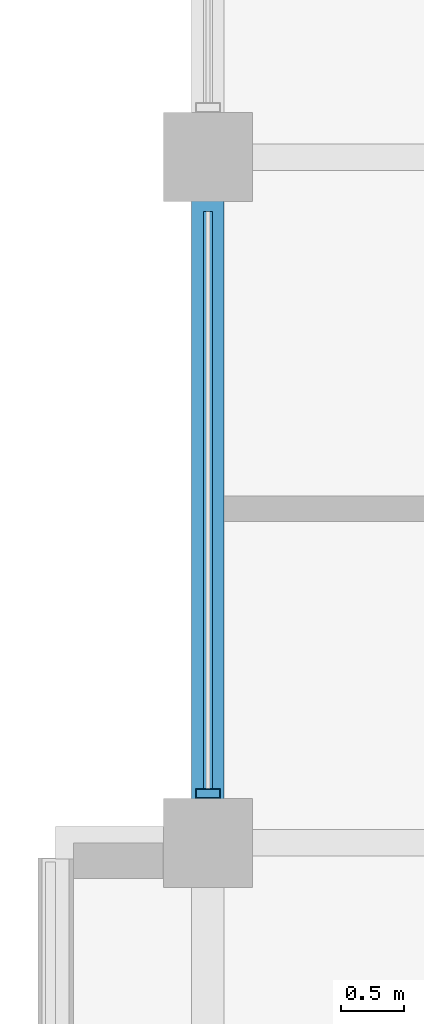
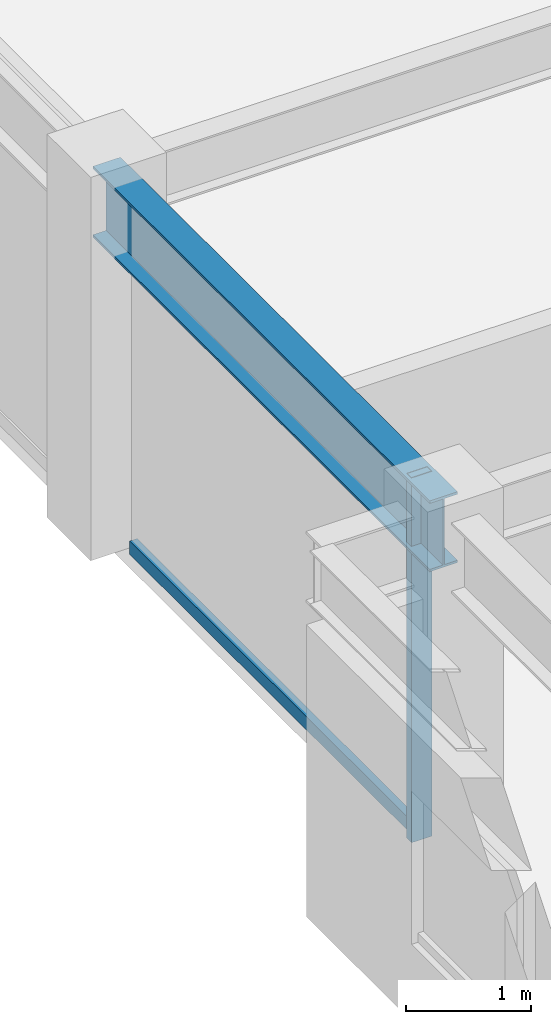
# One storey, part 8 of 29: 2 members, 1 beam, 1 element without a shape of its own.
"""IFC4 building model written with IfcOpenShell, lengths in metres."""

from ifc_helpers import new_model, si_unit, direction, frame, origin, origin_2d, place, context, subcontext, project, spatial, hollow_rectangle, i_section, extrude, material, layer, layer_set, material_profile, profile_set, type_object, element, aggregate, save


model = new_model("IFC4")

# Units and contexts
model_context = context("Model", 3, precision=1e-05, world=origin(), true_north=direction((0.0, 1.0)))
body_context = subcontext(model_context, "Body", "Model", "MODEL_VIEW")
ifc_project = project(units=[si_unit("LENGTHUNIT", "METRE"), si_unit("AREAUNIT", "SQUARE_METRE"), si_unit("VOLUMEUNIT", "CUBIC_METRE"), si_unit("PLANEANGLEUNIT", "RADIAN"), si_unit("MASSUNIT", "GRAM", prefix="KILO")], contexts=[model_context])

# Site, building, storey
site_placement = place(None, origin())
site = spatial("IfcSite", under=ifc_project, at=site_placement, CompositionType="ELEMENT")
building_placement = place(site_placement, origin())
building = spatial("IfcBuilding", under=site, at=building_placement, Name="Surkhivell Harbour Commons", CompositionType="ELEMENT")
storey_placement = place(building_placement, frame((0.0, 0.0, 273.75)))
storey = spatial("IfcBuildingStorey", under=building, at=storey_placement, Name="L71", CompositionType="ELEMENT", Elevation=273.75)

# Beam
ifc_material_1 = material(Name="Steel S355", Category="steel")
ifc_material_profile_1 = material_profile(ifc_material_1, i_section(OverallWidth=0.256103515625, OverallDepth=0.693115234375, WebThickness=0.014404296875, FlangeThickness=0.023681640625, at=origin_2d()), Name="UB686x254x170")
ifc_profile_set_1 = profile_set([ifc_material_profile_1], Name="Steel S355")
beam_type = type_object("IfcBeamType", Name="BM-SPN-686", PredefinedType="SPANDREL", material=ifc_profile_set_1)
beam_placement = place(storey_placement, frame((-27.0, 5.39990234375, 3.223388671875), z_axis=(0.0, 1.0, 0.0), x_axis=(-1.0, 0.0, 0.0)))
element("IfcBeam", 1, at=beam_placement, inside=storey, type_object=beam_type, Name="L71 Tube Spandrel (-27.0,5.4)", PredefinedType="SPANDREL", context=body_context, shape_type="SweptSolid", body=[
    extrude(i_section(OverallWidth=0.256103515625, OverallDepth=0.693115234375, WebThickness=0.014404296875, FlangeThickness=0.023681640625, at=origin_2d()), origin(), (0.0, 0.0, 1.0), 5.400146484375),
])

# Curtain wall, members
ifc_material_2 = material(Name="Anodised pale-metal aluminium and insulated glazing", Category="aluminium")
ifc_layer = layer(ifc_material_2, 0.175048828125)
ifc_layer_set = layer_set([ifc_layer], Name="Anodised pale-metal aluminium and insulated glazing")
curtain_wall_type = type_object("IfcCurtainWallType", Name="CW-SYS-Z4", PredefinedType="NOTDEFINED", material=ifc_layer_set)
curtain_wall_placement = place(storey_placement, origin())
curtain_wall = element("IfcCurtainWall", 2, at=curtain_wall_placement, inside=storey, type_object=curtain_wall_type, Name="L71 Curtain Wall CW-L71-E12R2", PredefinedType="NOTDEFINED")
ifc_material_3 = material(Name="Anodised pale-metal aluminium alloy 6063-T6", Category="aluminium")
ifc_material_profile_2 = material_profile(ifc_material_3, hollow_rectangle(XDim=0.074951171875, YDim=0.18994140625, WallThickness=0.00390625, at=origin_2d()), Name="ALU-MULL-75x190")
ifc_profile_set_2 = profile_set([ifc_material_profile_2], Name="Anodised pale-metal aluminium alloy 6063-T6")
member_type_1 = type_object("IfcMemberType", Name="CWM-190", PredefinedType="MULLION", material=ifc_profile_set_2)
member_1_placement = place(storey_placement, frame((-27.0, 5.78955078125, 0.0), z_axis=(0.0, 0.0, 1.0), x_axis=(0.0, 1.0, 0.0)))
member_1 = element("IfcMember", 3, at=member_1_placement, type_object=member_type_1, Name="CW-Z4 mullion 1", PredefinedType="MULLION", context=body_context, shape_type="SweptSolid", body=[
    extrude(hollow_rectangle(XDim=0.074951171875, YDim=0.18994140625, WallThickness=0.00390625, at=origin_2d()), origin(), (0.0, 0.0, 1.0), 3.570068359375),
])
ifc_material_4 = material(Name="Champagne anodised aluminium alloy 6063-T6", Category="aluminium")
ifc_material_profile_3 = material_profile(ifc_material_4, hollow_rectangle(XDim=0.070068359375, YDim=0.1298828125, WallThickness=0.00341796875, at=origin_2d()), Name="ALU-TRAN-70x130")
ifc_profile_set_3 = profile_set([ifc_material_profile_3], Name="Champagne anodised aluminium alloy 6063-T6")
member_type_2 = type_object("IfcMemberType", Name="CWT-130", PredefinedType="USERDEFINED", material=ifc_profile_set_3)
member_2_placement = place(storey_placement, frame((-27.0, 5.826904296875, 0.06494140625), z_axis=(0.0, 1.0, 0.0), x_axis=(-1.0, 0.0, 0.0)))
member_2 = element("IfcMember", 4, at=member_2_placement, type_object=member_type_2, Name="CW-Z4 transom 1.1", ObjectType="TRANSOM", PredefinedType="USERDEFINED", context=body_context, shape_type="SweptSolid", body=[
    extrude(hollow_rectangle(XDim=0.070068359375, YDim=0.1298828125, WallThickness=0.00341796875, at=origin_2d()), origin(), (0.0, 0.0, 1.0), 4.546142578125),
])
aggregate(curtain_wall, [member_1, member_2])

save(model, "model.ifc")
